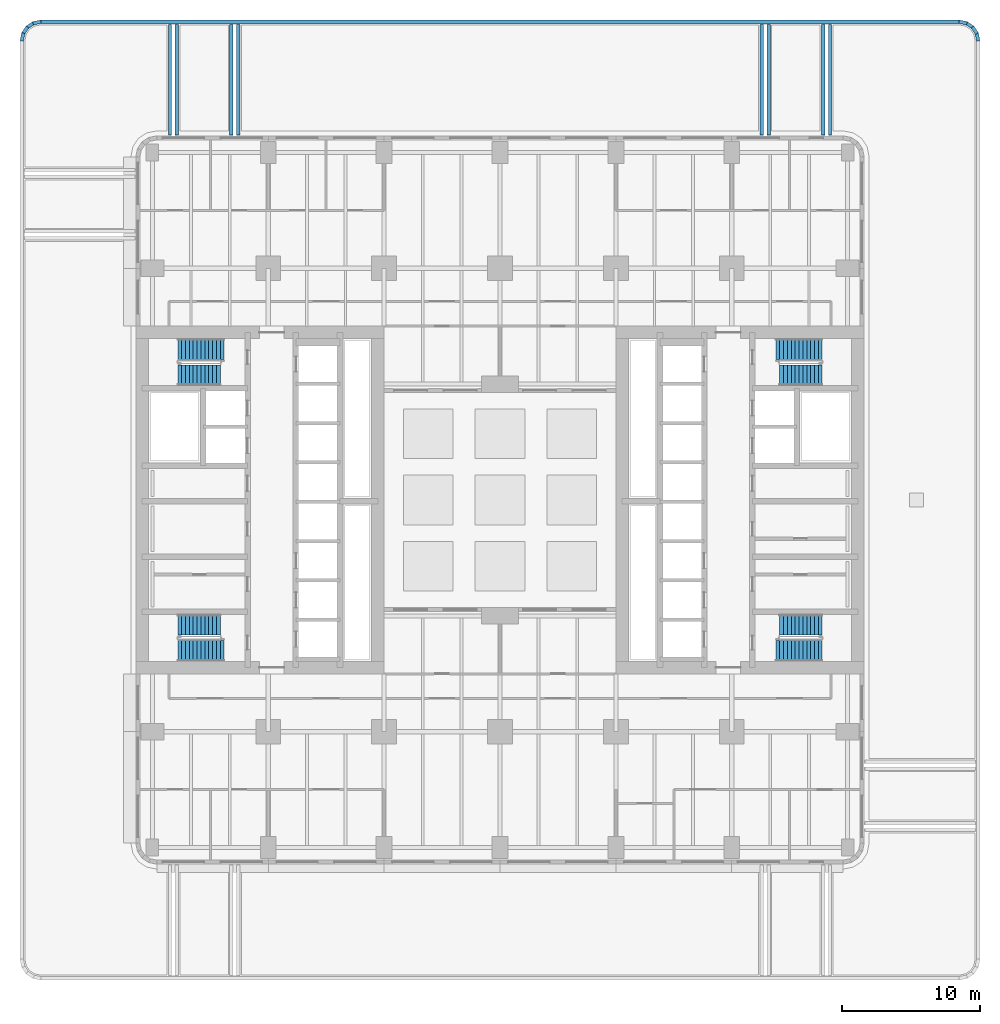
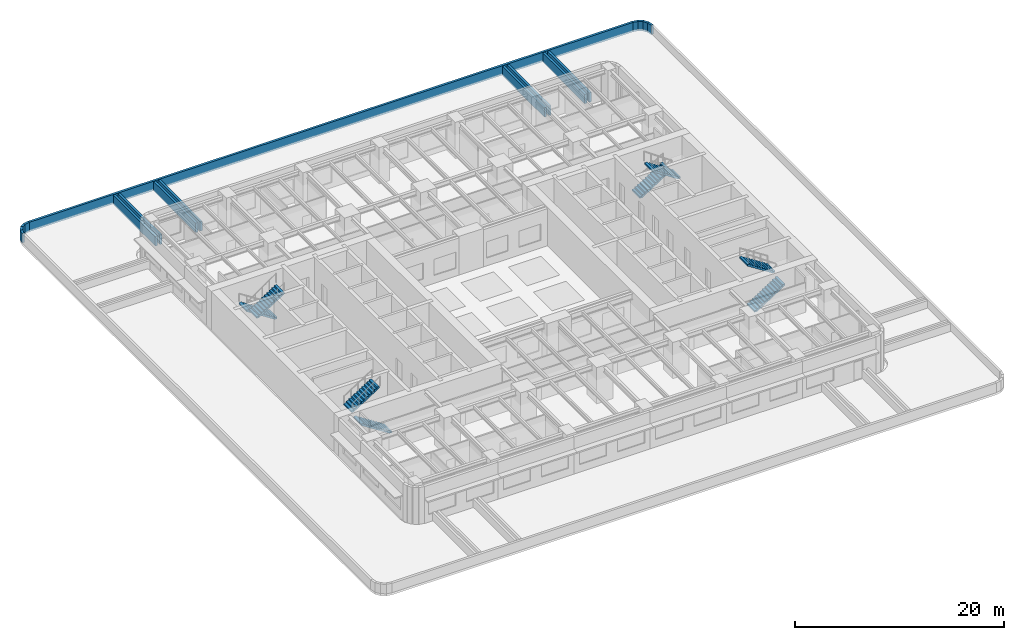
# One storey, part 10 of 17: 17 walls, 8 stair flights, 4 elements without a shape of their own.
"""IFC4 building model written with IfcOpenShell, lengths in metres."""

from ifc_helpers import new_model, si_unit, direction, frame, frame_2d, origin, place, context, subcontext, project, spatial, polyline, rectangle, outline, extrude, material, layer, layer_set, type_object, element, aggregate, save


model = new_model("IFC4")

# Units and contexts
model_context = context("Model", 3, precision=1e-05, world=origin(), true_north=direction((0.0, 1.0)))
body_context = subcontext(model_context, "Body", "Model", "MODEL_VIEW")
ifc_project = project(units=[si_unit("LENGTHUNIT", "METRE"), si_unit("AREAUNIT", "SQUARE_METRE"), si_unit("VOLUMEUNIT", "CUBIC_METRE"), si_unit("PLANEANGLEUNIT", "RADIAN"), si_unit("MASSUNIT", "GRAM", prefix="KILO")], contexts=[model_context])

# Site, building, storey
site_placement = place(None, origin())
site = spatial("IfcSite", under=ifc_project, at=site_placement, CompositionType="ELEMENT")
building_placement = place(site_placement, origin())
building = spatial("IfcBuilding", under=site, at=building_placement, Name="Claustro Exchange Tower", CompositionType="ELEMENT")
storey_placement = place(building_placement, frame((0.0, 0.0, 18.89990234375)))
storey = spatial("IfcBuildingStorey", under=building, at=storey_placement, Name="L04", CompositionType="ELEMENT", Elevation=18.89990234375)

# Walls
ifc_material_1 = material(Name="Concrete HA-40 (C40/50), precast, white cement, acid-etched", Category="concrete")
ifc_layer = layer(ifc_material_1, 0.25)
ifc_layer_set = layer_set([ifc_layer], Name="Concrete HA-40 (C40/50), precast, white cement, acid-etched")
wall_type = type_object("IfcWallType", Name="PP1 250 precast concrete parapet", PredefinedType="PARAPET", material=ifc_layer_set)
for number, where, z_axis, x_axis, name in (
    (1, (-9.477294921875, 58.4755859375, 0.0), (0.0, 0.0, 1.0), (0.1948322756, 0.980836573739, 0.0), "Parapet PP1 roof at +18.900"),
    (2, (-9.3818359375, 59.004638671875, 0.0), (0.0, 0.0, 1.0), (0.555374050802, 0.831600663598, 0.0), "Parapet PP1 roof at +18.900"),
):
    element("IfcWall", number, at=place(storey_placement, frame(where, z_axis=z_axis, x_axis=x_axis)), inside=storey, type_object=wall_type, Name=name, PredefinedType="PARAPET", context=body_context, shape_type="SweptSolid", body=[
        extrude(rectangle(XDim=0.585205078125, YDim=0.25, at=frame_2d((0.29248046875, 0.0))), origin(), (0.0, 0.0, 1.0), 1.10009765625),
    ])
wall_1_placement = place(storey_placement, frame((-9.09130859375, 59.456787109375, 0.0), z_axis=(0.0, 0.0, 1.0), x_axis=(0.831536683512, 0.555469840741, 0.0)))
element("IfcWall", 3, at=wall_1_placement, inside=storey, type_object=wall_type, Name="Parapet PP1 roof at +18.900", PredefinedType="PARAPET", context=body_context, shape_type="SweptSolid", body=[
    extrude(rectangle(XDim=0.58544921875, YDim=0.25, at=frame_2d((0.292724609375, 0.0))), origin(), (0.0, 0.0, 1.0), 1.10009765625),
])
wall_2_placement = place(storey_placement, frame((-8.649658203125, 59.76318359375, 0.0), z_axis=(0.0, 0.0, 1.0), x_axis=(0.980756771825, 0.195233589627, 0.0)))
element("IfcWall", 4, at=wall_2_placement, inside=storey, type_object=wall_type, Name="Parapet PP1 roof at +18.900", PredefinedType="PARAPET", context=body_context, shape_type="SweptSolid", body=[
    extrude(rectangle(XDim=0.585205078125, YDim=0.25, at=frame_2d((0.29248046875, 0.0))), origin(), (0.0, 0.0, 1.0), 1.10009765625),
])
wall_3_placement = place(storey_placement, frame((-8.10009765625, 59.875, 0.0), z_axis=(0.0, 0.0, 1.0), x_axis=(1.0, 0.0, 0.0)))
element("IfcWall", 5, at=wall_3_placement, inside=storey, type_object=wall_type, Name="Parapet PP1 roof at +18.900", PredefinedType="PARAPET", context=body_context, shape_type="SweptSolid", body=[
    extrude(rectangle(XDim=66.60009765625, YDim=0.25, at=frame_2d((33.300048828125, 0.0))), origin(), (0.0, 0.0, 1.0), 1.10009765625),
])
for number, where, z_axis, x_axis, name in (
    (6, (58.4755859375, 59.87744140625, 0.0), (0.0, 0.0, 1.0), (0.980756771825, -0.195233589627, 0.0), "Parapet PP1 roof at +18.900"),
    (7, (59.004638671875, 59.781982421875, 0.0), (0.0, 0.0, 1.0), (0.831407946579, -0.555662511211, 0.0), "Parapet PP1 roof at +18.900"),
    (8, (59.456787109375, 59.4912109375, 0.0), (0.0, 0.0, 1.0), (0.555662511211, -0.831407946579, 0.0), "Parapet PP1 roof at +18.900"),
    (9, (59.76318359375, 59.049560546875, 0.0), (0.0, 0.0, 1.0), (0.195233589627, -0.980756771825, 0.0), "Parapet PP1 roof at +18.900"),
):
    element("IfcWall", number, at=place(storey_placement, frame(where, z_axis=z_axis, x_axis=x_axis)), inside=storey, type_object=wall_type, Name=name, PredefinedType="PARAPET", context=body_context, shape_type="SweptSolid", body=[
        extrude(rectangle(XDim=0.585205078125, YDim=0.25, at=frame_2d((0.29248046875, 0.0))), origin(), (0.0, 0.0, 1.0), 1.10009765625),
    ])
for number, where, z_axis, x_axis, name in (
    (10, (49.125, 51.679931640625, 0.0), (0.0, 0.0, 1.0), (0.0, 1.0, 0.0), "Parapet PP1 roof at +18.900"),
    (11, (48.625, 59.679931640625, 0.0), (0.0, 0.0, 1.0), (0.0, -1.0, 0.0), "Parapet PP1 roof at +18.900"),
    (12, (44.675048828125, 51.679931640625, 0.0), (0.0, 0.0, 1.0), (0.0, 1.0, 0.0), "Parapet PP1 roof at +18.900"),
    (13, (44.175048828125, 59.679931640625, 0.0), (0.0, 0.0, 1.0), (0.0, -1.0, 0.0), "Parapet PP1 roof at +18.900"),
    (14, (6.22509765625, 51.679931640625, 0.0), (0.0, 0.0, 1.0), (0.0, 1.0, 0.0), "Parapet PP1 roof at +18.900"),
    (15, (5.72509765625, 59.679931640625, 0.0), (0.0, 0.0, 1.0), (0.0, -1.0, 0.0), "Parapet PP1 roof at +18.900"),
    (16, (1.77490234375, 51.679931640625, 0.0), (0.0, 0.0, 1.0), (0.0, 1.0, 0.0), "Parapet PP1 roof at +18.900"),
    (17, (1.27490234375, 59.679931640625, 0.0), (0.0, 0.0, 1.0), (0.0, -1.0, 0.0), "Parapet PP1 roof at +18.900"),
):
    element("IfcWall", number, at=place(storey_placement, frame(where, z_axis=z_axis, x_axis=x_axis)), inside=storey, type_object=wall_type, Name=name, PredefinedType="PARAPET", context=body_context, shape_type="SweptSolid", body=[
        extrude(rectangle(XDim=8.0, YDim=0.25, at=frame_2d((4.0, 0.0))), origin(), (0.0, 0.0, 1.0), 1.10009765625),
    ])

# Stair, stair flight
ifc_material_2 = material(Name="Concrete HA-30 (C30/37), precast", Category="concrete")
stair_type = type_object("IfcStairType", Name="ST2 half-turn stair, 25 risers of 180", PredefinedType="HALF_TURN_STAIR", material=ifc_material_2)
stair_1_placement = place(storey_placement, origin())
stair_1 = element("IfcStair", 18, at=stair_1_placement, inside=storey, type_object=stair_type, Name="Stair STWA L04", PredefinedType="HALF_TURN_STAIR")
ifc_material_3 = material(Name="Concrete HA-30 (C30/37), precast", Category="concrete")
stair_flight_type_1 = type_object("IfcStairFlightType", Name="SF12B straight flight, 12 risers of 180, 1500 wide", PredefinedType="STRAIGHT", material=ifc_material_3)
stair_flight_1_placement = place(storey_placement, frame((1.840087890625, 16.14990234375, 2.340087890625), z_axis=(0.0, 0.0, 1.0), x_axis=(1.0, 0.0, 0.0)))
stair_flight_1 = element("IfcStairFlight", 19, at=stair_flight_1_placement, type_object=stair_flight_type_1, Name="STWA flight 2", NumberOfRisers=12, NumberOfTreads=11, PredefinedType="STRAIGHT", RiserHeight=0.18, TreadLength=0.28, context=body_context, shape_type="SweptSolid", body=[
    extrude(outline(polyline([(0.0, 0.0), (0.0, 0.179931640625), (0.280029296875, 0.179931640625), (0.280029296875, 0.360107421875), (0.56005859375, 0.360107421875), (0.56005859375, 0.5400390625), (0.840087890625, 0.5400390625), (0.840087890625, 0.719970703125), (1.1201171875, 0.719970703125), (1.1201171875, 0.89990234375), (1.39990234375, 0.89990234375), (1.39990234375, 1.080078125), (1.679931640625, 1.080078125), (1.679931640625, 1.260009765625), (1.9599609375, 1.260009765625), (1.9599609375, 1.43994140625), (2.239990234375, 1.43994140625), (2.239990234375, 1.6201171875), (2.52001953125, 1.6201171875), (2.52001953125, 1.800048828125), (2.800048828125, 1.800048828125), (2.800048828125, 1.97998046875), (3.080078125, 1.97998046875), (3.080078125, 2.159912109375), (3.080078125, 1.8017578125), (0.277099609375, 0.0), (0.0, 0.0)])), frame((0.0, 0.75, 0.0), z_axis=(0.0, -1.0, 0.0), x_axis=(1.0, 0.0, 0.0)), (0.0, 0.0, 1.0), 1.5),
])

stair_2_placement = place(storey_placement, origin())
stair_2 = element("IfcStair", 20, at=stair_2_placement, inside=storey, type_object=stair_type, Name="Stair STWB L04", PredefinedType="HALF_TURN_STAIR")
stair_flight_2_placement = place(storey_placement, frame((1.840087890625, 34.25, 2.340087890625), z_axis=(0.0, 0.0, 1.0), x_axis=(1.0, 0.0, 0.0)))
stair_flight_2 = element("IfcStairFlight", 21, at=stair_flight_2_placement, type_object=stair_flight_type_1, Name="STWB flight 2", NumberOfRisers=12, NumberOfTreads=11, PredefinedType="STRAIGHT", RiserHeight=0.18, TreadLength=0.28, context=body_context, shape_type="SweptSolid", body=[
    extrude(outline(polyline([(0.0, 0.0), (0.0, 0.179931640625), (0.280029296875, 0.179931640625), (0.280029296875, 0.360107421875), (0.56005859375, 0.360107421875), (0.56005859375, 0.5400390625), (0.840087890625, 0.5400390625), (0.840087890625, 0.719970703125), (1.1201171875, 0.719970703125), (1.1201171875, 0.89990234375), (1.39990234375, 0.89990234375), (1.39990234375, 1.080078125), (1.679931640625, 1.080078125), (1.679931640625, 1.260009765625), (1.9599609375, 1.260009765625), (1.9599609375, 1.43994140625), (2.239990234375, 1.43994140625), (2.239990234375, 1.6201171875), (2.52001953125, 1.6201171875), (2.52001953125, 1.800048828125), (2.800048828125, 1.800048828125), (2.800048828125, 1.97998046875), (3.080078125, 1.97998046875), (3.080078125, 2.159912109375), (3.080078125, 1.8017578125), (0.277099609375, 0.0), (0.0, 0.0)])), frame((0.0, 0.75, 0.0), z_axis=(0.0, -1.0, 0.0), x_axis=(1.0, 0.0, 0.0)), (0.0, 0.0, 1.0), 1.5),
])

stair_3_placement = place(storey_placement, origin())
stair_3 = element("IfcStair", 22, at=stair_3_placement, inside=storey, type_object=stair_type, Name="Stair STEA L04", PredefinedType="HALF_TURN_STAIR")
stair_flight_3_placement = place(storey_placement, frame((48.56005859375, 16.14990234375, 2.340087890625), z_axis=(0.0, 0.0, 1.0), x_axis=(-1.0, 0.0, 0.0)))
stair_flight_3 = element("IfcStairFlight", 23, at=stair_flight_3_placement, type_object=stair_flight_type_1, Name="STEA flight 2", NumberOfRisers=12, NumberOfTreads=11, PredefinedType="STRAIGHT", RiserHeight=0.18, TreadLength=0.28, context=body_context, shape_type="SweptSolid", body=[
    extrude(outline(polyline([(0.0, 0.0), (0.0, 0.179931640625), (0.280029296875, 0.179931640625), (0.280029296875, 0.360107421875), (0.56005859375, 0.360107421875), (0.56005859375, 0.5400390625), (0.840087890625, 0.5400390625), (0.840087890625, 0.719970703125), (1.1201171875, 0.719970703125), (1.1201171875, 0.89990234375), (1.39990234375, 0.89990234375), (1.39990234375, 1.080078125), (1.679931640625, 1.080078125), (1.679931640625, 1.260009765625), (1.9599609375, 1.260009765625), (1.9599609375, 1.43994140625), (2.239990234375, 1.43994140625), (2.239990234375, 1.6201171875), (2.52001953125, 1.6201171875), (2.52001953125, 1.800048828125), (2.800048828125, 1.800048828125), (2.800048828125, 1.97998046875), (3.080078125, 1.97998046875), (3.080078125, 2.159912109375), (3.080078125, 1.8017578125), (0.277099609375, 0.0), (0.0, 0.0)])), frame((0.0, 0.75, 0.0), z_axis=(0.0, -1.0, 0.0), x_axis=(1.0, 0.0, 0.0)), (0.0, 0.0, 1.0), 1.5),
])

stair_4_placement = place(storey_placement, origin())
stair_4 = element("IfcStair", 24, at=stair_4_placement, inside=storey, type_object=stair_type, Name="Stair STEB L04", PredefinedType="HALF_TURN_STAIR")
stair_flight_4_placement = place(storey_placement, frame((48.56005859375, 34.25, 2.340087890625), z_axis=(0.0, 0.0, 1.0), x_axis=(-1.0, 0.0, 0.0)))
stair_flight_4 = element("IfcStairFlight", 25, at=stair_flight_4_placement, type_object=stair_flight_type_1, Name="STEB flight 2", NumberOfRisers=12, NumberOfTreads=11, PredefinedType="STRAIGHT", RiserHeight=0.18, TreadLength=0.28, context=body_context, shape_type="SweptSolid", body=[
    extrude(outline(polyline([(0.0, 0.0), (0.0, 0.179931640625), (0.280029296875, 0.179931640625), (0.280029296875, 0.360107421875), (0.56005859375, 0.360107421875), (0.56005859375, 0.5400390625), (0.840087890625, 0.5400390625), (0.840087890625, 0.719970703125), (1.1201171875, 0.719970703125), (1.1201171875, 0.89990234375), (1.39990234375, 0.89990234375), (1.39990234375, 1.080078125), (1.679931640625, 1.080078125), (1.679931640625, 1.260009765625), (1.9599609375, 1.260009765625), (1.9599609375, 1.43994140625), (2.239990234375, 1.43994140625), (2.239990234375, 1.6201171875), (2.52001953125, 1.6201171875), (2.52001953125, 1.800048828125), (2.800048828125, 1.800048828125), (2.800048828125, 1.97998046875), (3.080078125, 1.97998046875), (3.080078125, 2.159912109375), (3.080078125, 1.8017578125), (0.277099609375, 0.0), (0.0, 0.0)])), frame((0.0, 0.75, 0.0), z_axis=(0.0, -1.0, 0.0), x_axis=(1.0, 0.0, 0.0)), (0.0, 0.0, 1.0), 1.5),
])

# Stair flight
ifc_material_4 = material(Name="Concrete HA-30 (C30/37), precast", Category="concrete")
stair_flight_type_2 = type_object("IfcStairFlightType", Name="SF13 straight flight, 13 risers of 180, 1500 wide", PredefinedType="STRAIGHT", material=ifc_material_4)
stair_flight_5_placement = place(storey_placement, frame((5.199951171875, 14.25, 0.0), z_axis=(0.0, 0.0, 1.0), x_axis=(-1.0, 0.0, 0.0)))
stair_flight_5 = element("IfcStairFlight", 26, at=stair_flight_5_placement, type_object=stair_flight_type_2, Name="STWA flight 1", NumberOfRisers=13, NumberOfTreads=12, PredefinedType="STRAIGHT", RiserHeight=0.18, TreadLength=0.28, context=body_context, shape_type="SweptSolid", body=[
    extrude(outline(polyline([(0.0, 0.0), (0.0, 0.179931640625), (0.280029296875, 0.179931640625), (0.280029296875, 0.360107421875), (0.56005859375, 0.360107421875), (0.56005859375, 0.5400390625), (0.840087890625, 0.5400390625), (0.840087890625, 0.719970703125), (1.1201171875, 0.719970703125), (1.1201171875, 0.89990234375), (1.39990234375, 0.89990234375), (1.39990234375, 1.080078125), (1.679931640625, 1.080078125), (1.679931640625, 1.260009765625), (1.9599609375, 1.260009765625), (1.9599609375, 1.43994140625), (2.239990234375, 1.43994140625), (2.239990234375, 1.6201171875), (2.52001953125, 1.6201171875), (2.52001953125, 1.800048828125), (2.800048828125, 1.800048828125), (2.800048828125, 1.97998046875), (3.080078125, 1.97998046875), (3.080078125, 2.159912109375), (3.360107421875, 2.159912109375), (3.360107421875, 2.340087890625), (3.360107421875, 1.981689453125), (0.277099609375, 0.0), (0.0, 0.0)])), frame((0.0, 0.75, 0.0), z_axis=(0.0, -1.0, 0.0), x_axis=(1.0, 0.0, 0.0)), (0.0, 0.0, 1.0), 1.5),
])

aggregate(stair_1, [stair_flight_5, stair_flight_1])

stair_flight_6_placement = place(storey_placement, frame((5.199951171875, 36.14990234375, 0.0), z_axis=(0.0, 0.0, 1.0), x_axis=(-1.0, 0.0, 0.0)))
stair_flight_6 = element("IfcStairFlight", 27, at=stair_flight_6_placement, type_object=stair_flight_type_2, Name="STWB flight 1", NumberOfRisers=13, NumberOfTreads=12, PredefinedType="STRAIGHT", RiserHeight=0.18, TreadLength=0.28, context=body_context, shape_type="SweptSolid", body=[
    extrude(outline(polyline([(0.0, 0.0), (0.0, 0.179931640625), (0.280029296875, 0.179931640625), (0.280029296875, 0.360107421875), (0.56005859375, 0.360107421875), (0.56005859375, 0.5400390625), (0.840087890625, 0.5400390625), (0.840087890625, 0.719970703125), (1.1201171875, 0.719970703125), (1.1201171875, 0.89990234375), (1.39990234375, 0.89990234375), (1.39990234375, 1.080078125), (1.679931640625, 1.080078125), (1.679931640625, 1.260009765625), (1.9599609375, 1.260009765625), (1.9599609375, 1.43994140625), (2.239990234375, 1.43994140625), (2.239990234375, 1.6201171875), (2.52001953125, 1.6201171875), (2.52001953125, 1.800048828125), (2.800048828125, 1.800048828125), (2.800048828125, 1.97998046875), (3.080078125, 1.97998046875), (3.080078125, 2.159912109375), (3.360107421875, 2.159912109375), (3.360107421875, 2.340087890625), (3.360107421875, 1.981689453125), (0.277099609375, 0.0), (0.0, 0.0)])), frame((0.0, 0.75, 0.0), z_axis=(0.0, -1.0, 0.0), x_axis=(1.0, 0.0, 0.0)), (0.0, 0.0, 1.0), 1.5),
])

aggregate(stair_2, [stair_flight_6, stair_flight_2])

stair_flight_7_placement = place(storey_placement, frame((45.199951171875, 14.25, 0.0), z_axis=(0.0, 0.0, 1.0), x_axis=(1.0, 0.0, 0.0)))
stair_flight_7 = element("IfcStairFlight", 28, at=stair_flight_7_placement, type_object=stair_flight_type_2, Name="STEA flight 1", NumberOfRisers=13, NumberOfTreads=12, PredefinedType="STRAIGHT", RiserHeight=0.18, TreadLength=0.28, context=body_context, shape_type="SweptSolid", body=[
    extrude(outline(polyline([(0.0, 0.0), (0.0, 0.179931640625), (0.280029296875, 0.179931640625), (0.280029296875, 0.360107421875), (0.56005859375, 0.360107421875), (0.56005859375, 0.5400390625), (0.840087890625, 0.5400390625), (0.840087890625, 0.719970703125), (1.1201171875, 0.719970703125), (1.1201171875, 0.89990234375), (1.39990234375, 0.89990234375), (1.39990234375, 1.080078125), (1.679931640625, 1.080078125), (1.679931640625, 1.260009765625), (1.9599609375, 1.260009765625), (1.9599609375, 1.43994140625), (2.239990234375, 1.43994140625), (2.239990234375, 1.6201171875), (2.52001953125, 1.6201171875), (2.52001953125, 1.800048828125), (2.800048828125, 1.800048828125), (2.800048828125, 1.97998046875), (3.080078125, 1.97998046875), (3.080078125, 2.159912109375), (3.360107421875, 2.159912109375), (3.360107421875, 2.340087890625), (3.360107421875, 1.981689453125), (0.277099609375, 0.0), (0.0, 0.0)])), frame((0.0, 0.75, 0.0), z_axis=(0.0, -1.0, 0.0), x_axis=(1.0, 0.0, 0.0)), (0.0, 0.0, 1.0), 1.5),
])

aggregate(stair_3, [stair_flight_7, stair_flight_3])

stair_flight_8_placement = place(storey_placement, frame((45.199951171875, 36.14990234375, 0.0), z_axis=(0.0, 0.0, 1.0), x_axis=(1.0, 0.0, 0.0)))
stair_flight_8 = element("IfcStairFlight", 29, at=stair_flight_8_placement, type_object=stair_flight_type_2, Name="STEB flight 1", NumberOfRisers=13, NumberOfTreads=12, PredefinedType="STRAIGHT", RiserHeight=0.18, TreadLength=0.28, context=body_context, shape_type="SweptSolid", body=[
    extrude(outline(polyline([(0.0, 0.0), (0.0, 0.179931640625), (0.280029296875, 0.179931640625), (0.280029296875, 0.360107421875), (0.56005859375, 0.360107421875), (0.56005859375, 0.5400390625), (0.840087890625, 0.5400390625), (0.840087890625, 0.719970703125), (1.1201171875, 0.719970703125), (1.1201171875, 0.89990234375), (1.39990234375, 0.89990234375), (1.39990234375, 1.080078125), (1.679931640625, 1.080078125), (1.679931640625, 1.260009765625), (1.9599609375, 1.260009765625), (1.9599609375, 1.43994140625), (2.239990234375, 1.43994140625), (2.239990234375, 1.6201171875), (2.52001953125, 1.6201171875), (2.52001953125, 1.800048828125), (2.800048828125, 1.800048828125), (2.800048828125, 1.97998046875), (3.080078125, 1.97998046875), (3.080078125, 2.159912109375), (3.360107421875, 2.159912109375), (3.360107421875, 2.340087890625), (3.360107421875, 1.981689453125), (0.277099609375, 0.0), (0.0, 0.0)])), frame((0.0, 0.75, 0.0), z_axis=(0.0, -1.0, 0.0), x_axis=(1.0, 0.0, 0.0)), (0.0, 0.0, 1.0), 1.5),
])

aggregate(stair_4, [stair_flight_8, stair_flight_4])

save(model, "model.ifc")
